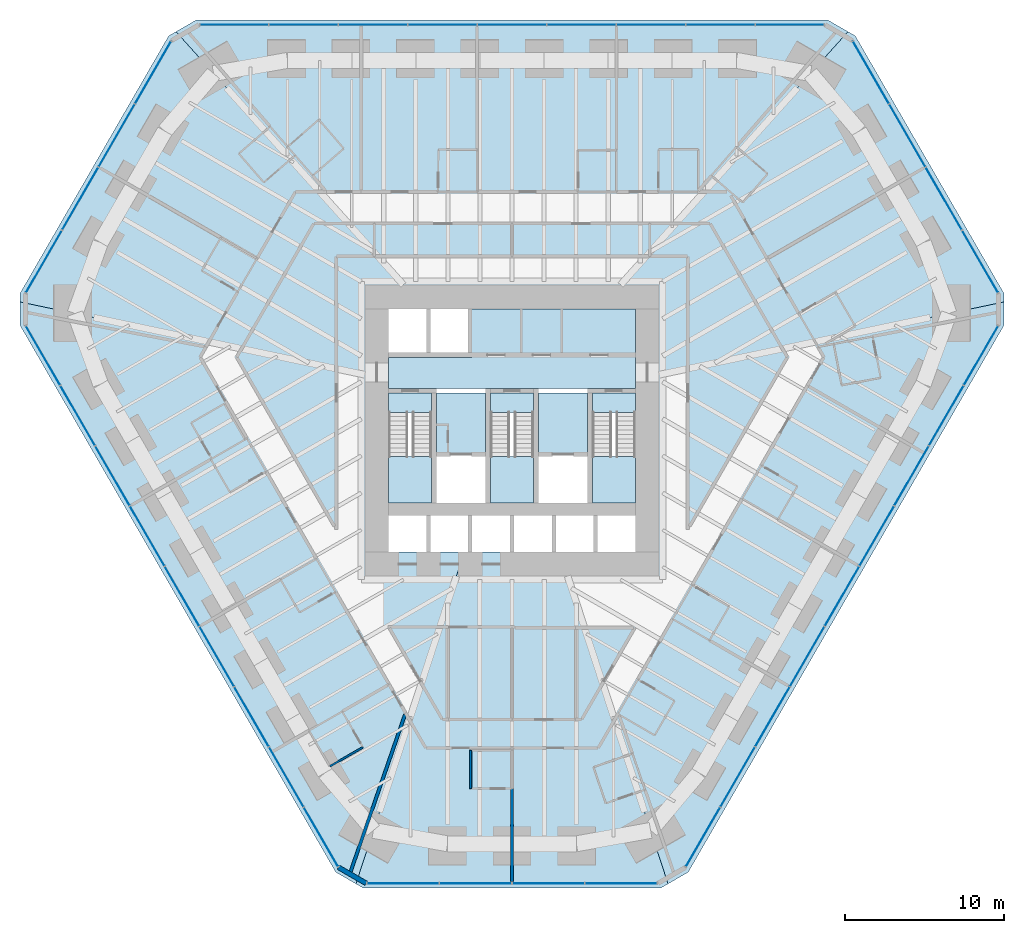
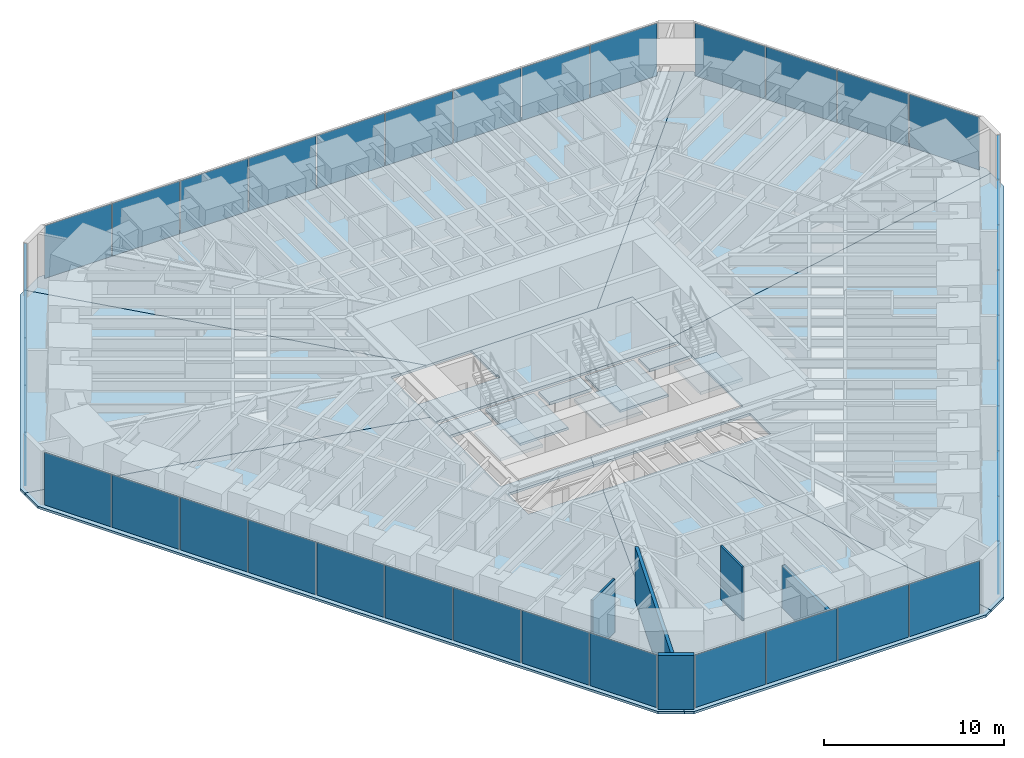
# One storey, part 10 of 17: 39 plates, 15 slabs, 5 walls, 9 elements without a shape of their own.
"""IFC4 building model written with IfcOpenShell, lengths in metres."""

from ifc_helpers import new_model, si_unit, direction, frame, frame_2d, origin, origin_2d, place, context, subcontext, project, spatial, polyline, rectangle, outline, extrude, material, layer, layer_set, type_object, element, aggregate, save


model = new_model("IFC4")

# Units and contexts
model_context = context("Model", 3, precision=1e-05, world=origin(), true_north=direction((0.0, 1.0)))
body_context = subcontext(model_context, "Body", "Model", "MODEL_VIEW")
ifc_project = project(units=[si_unit("LENGTHUNIT", "METRE"), si_unit("AREAUNIT", "SQUARE_METRE"), si_unit("VOLUMEUNIT", "CUBIC_METRE"), si_unit("PLANEANGLEUNIT", "RADIAN"), si_unit("MASSUNIT", "GRAM", prefix="KILO")], contexts=[model_context])

# Site, building, storey
site_placement = place(None, origin())
site = spatial("IfcSite", under=ifc_project, at=site_placement, CompositionType="ELEMENT")
building_placement = place(site_placement, origin())
building = spatial("IfcBuilding", under=site, at=building_placement, Name="Sandreach Pilgrim Tower", CompositionType="ELEMENT")
storey_placement = place(building_placement, frame((0.0, 0.0, 80.0)))
storey = spatial("IfcBuildingStorey", under=building, at=storey_placement, Name="L19", CompositionType="ELEMENT", Elevation=80.0)

# Curtain wall, plates
ifc_material_1 = material(Name="Aluminium framed curtain wall", Category="aluminium")
curtain_wall_type = type_object("IfcCurtainWallType", Name="Hostel tower curtain wall", PredefinedType="NOTDEFINED", material=ifc_material_1)
curtain_wall_1_placement = place(storey_placement, origin())
curtain_wall_1 = element("IfcCurtainWall", 1, at=curtain_wall_1_placement, inside=storey, type_object=curtain_wall_type, Name="CW-1 L19 N", PredefinedType="NOTDEFINED")
ifc_material_2 = material(Name="Insulating glass unit 6 heat-strengthened + 12 argon + 6 heat-strengthened", Category="glass")
ifc_layer_1 = layer(ifc_material_2, 0.02392578125)
ifc_layer_set_1 = layer_set([ifc_layer_1], Name="CW-1 panel")
plate_type = type_object("IfcPlateType", Name="CW-1 panel", PredefinedType="CURTAIN_PANEL", material=ifc_layer_set_1)
plate_1_placement = place(storey_placement, frame((-17.469970703125, 23.94873046875, 0.0), z_axis=(0.0, 0.0, 1.0), x_axis=(1.0, 0.0, 0.0)))
plate_1 = element("IfcPlate", 2, at=plate_1_placement, type_object=plate_type, Name="CW-1 panel 1", PredefinedType="CURTAIN_PANEL", context=body_context, shape_type="SweptSolid", body=[
    extrude(rectangle(XDim=4.274169921875, YDim=0.02392578125, at=origin_2d()), origin(), (0.0, 0.0, 1.0), 3.570068359375),
])
plate_2_placement = place(storey_placement, frame((-13.11474609375, 23.94873046875, 0.0), z_axis=(0.0, 0.0, 1.0), x_axis=(1.0, 0.0, 0.0)))
plate_2 = element("IfcPlate", 3, at=plate_2_placement, type_object=plate_type, Name="CW-1 panel 2", PredefinedType="CURTAIN_PANEL", context=body_context, shape_type="SweptSolid", body=[
    extrude(rectangle(XDim=4.306640625, YDim=0.02392578125, at=origin_2d()), origin(), (0.0, 0.0, 1.0), 3.570068359375),
])
plate_3_placement = place(storey_placement, frame((-8.7431640625, 23.94873046875, 0.0), z_axis=(0.0, 0.0, 1.0), x_axis=(1.0, 0.0, 0.0)))
plate_3 = element("IfcPlate", 4, at=plate_3_placement, type_object=plate_type, Name="CW-1 panel 3", PredefinedType="CURTAIN_PANEL", context=body_context, shape_type="SweptSolid", body=[
    extrude(rectangle(XDim=4.306640625, YDim=0.02392578125, at=origin_2d()), origin(), (0.0, 0.0, 1.0), 3.570068359375),
])
plate_4_placement = place(storey_placement, frame((-4.37158203125, 23.94873046875, 0.0), z_axis=(0.0, 0.0, 1.0), x_axis=(1.0, 0.0, 0.0)))
plate_4 = element("IfcPlate", 5, at=plate_4_placement, type_object=plate_type, Name="CW-1 panel 4", PredefinedType="CURTAIN_PANEL", context=body_context, shape_type="SweptSolid", body=[
    extrude(rectangle(XDim=4.306640625, YDim=0.02392578125, at=origin_2d()), origin(), (0.0, 0.0, 1.0), 3.570068359375),
])
plate_5_placement = place(storey_placement, frame((0.0, 23.94873046875, 0.0), z_axis=(0.0, 0.0, 1.0), x_axis=(1.0, 0.0, 0.0)))
plate_5 = element("IfcPlate", 6, at=plate_5_placement, type_object=plate_type, Name="CW-1 panel 5", PredefinedType="CURTAIN_PANEL", context=body_context, shape_type="SweptSolid", body=[
    extrude(rectangle(XDim=4.306640625, YDim=0.02392578125, at=origin_2d()), origin(), (0.0, 0.0, 1.0), 3.570068359375),
])
plate_6_placement = place(storey_placement, frame((4.37158203125, 23.94873046875, 0.0), z_axis=(0.0, 0.0, 1.0), x_axis=(1.0, 0.0, 0.0)))
plate_6 = element("IfcPlate", 7, at=plate_6_placement, type_object=plate_type, Name="CW-1 panel 6", PredefinedType="CURTAIN_PANEL", context=body_context, shape_type="SweptSolid", body=[
    extrude(rectangle(XDim=4.306640625, YDim=0.02392578125, at=origin_2d()), origin(), (0.0, 0.0, 1.0), 3.570068359375),
])
plate_7_placement = place(storey_placement, frame((8.7431640625, 23.94873046875, 0.0), z_axis=(0.0, 0.0, 1.0), x_axis=(1.0, 0.0, 0.0)))
plate_7 = element("IfcPlate", 8, at=plate_7_placement, type_object=plate_type, Name="CW-1 panel 7", PredefinedType="CURTAIN_PANEL", context=body_context, shape_type="SweptSolid", body=[
    extrude(rectangle(XDim=4.306640625, YDim=0.02392578125, at=origin_2d()), origin(), (0.0, 0.0, 1.0), 3.570068359375),
])
plate_8_placement = place(storey_placement, frame((13.11474609375, 23.94873046875, 0.0), z_axis=(0.0, 0.0, 1.0), x_axis=(1.0, 0.0, 0.0)))
plate_8 = element("IfcPlate", 9, at=plate_8_placement, type_object=plate_type, Name="CW-1 panel 8", PredefinedType="CURTAIN_PANEL", context=body_context, shape_type="SweptSolid", body=[
    extrude(rectangle(XDim=4.306640625, YDim=0.02392578125, at=origin_2d()), origin(), (0.0, 0.0, 1.0), 3.570068359375),
])
plate_9_placement = place(storey_placement, frame((17.469970703125, 23.94873046875, 0.0), z_axis=(0.0, 0.0, 1.0), x_axis=(1.0, 0.0, 0.0)))
plate_9 = element("IfcPlate", 10, at=plate_9_placement, type_object=plate_type, Name="CW-1 panel 9", PredefinedType="CURTAIN_PANEL", context=body_context, shape_type="SweptSolid", body=[
    extrude(rectangle(XDim=4.274169921875, YDim=0.02392578125, at=origin_2d()), origin(), (0.0, 0.0, 1.0), 3.570068359375),
])
aggregate(curtain_wall_1, [plate_1, plate_2, plate_3, plate_4, plate_5, plate_6, plate_7, plate_8, plate_9])

curtain_wall_2_placement = place(storey_placement, origin())
curtain_wall_2 = element("IfcCurtainWall", 11, at=curtain_wall_2_placement, inside=storey, type_object=curtain_wall_type, Name="CW-1 L19 NE", PredefinedType="NOTDEFINED")
plate_10_placement = place(storey_placement, frame((22.558837890625, 20.94873046875, 0.0), z_axis=(0.0, 0.0, 1.0), x_axis=(0.5, -0.866025403784, 0.0)))
plate_10 = element("IfcPlate", 12, at=plate_10_placement, type_object=plate_type, Name="CW-1 panel 1", PredefinedType="CURTAIN_PANEL", context=body_context, shape_type="SweptSolid", body=[
    extrude(rectangle(XDim=4.488525390625, YDim=0.02392578125, at=origin_2d()), origin(), (0.0, 0.0, 1.0), 3.570068359375),
])
plate_11_placement = place(storey_placement, frame((24.84375, 16.9912109375, 0.0), z_axis=(0.0, 0.0, 1.0), x_axis=(0.5, -0.866025403784, 0.0)))
plate_11 = element("IfcPlate", 13, at=plate_11_placement, type_object=plate_type, Name="CW-1 panel 2", PredefinedType="CURTAIN_PANEL", context=body_context, shape_type="SweptSolid", body=[
    extrude(rectangle(XDim=4.52099609375, YDim=0.02392578125, at=origin_2d()), origin(), (0.0, 0.0, 1.0), 3.570068359375),
])
plate_12_placement = place(storey_placement, frame((27.13671875, 13.01953125, 0.0), z_axis=(0.0, 0.0, 1.0), x_axis=(0.5, -0.866025403784, 0.0)))
plate_12 = element("IfcPlate", 14, at=plate_12_placement, type_object=plate_type, Name="CW-1 panel 3", PredefinedType="CURTAIN_PANEL", context=body_context, shape_type="SweptSolid", body=[
    extrude(rectangle(XDim=4.52099609375, YDim=0.02392578125, at=origin_2d()), origin(), (0.0, 0.0, 1.0), 3.570068359375),
])
plate_13_placement = place(storey_placement, frame((29.421630859375, 9.06201171875, 0.0), z_axis=(0.0, 0.0, 1.0), x_axis=(0.5, -0.866025403784, 0.0)))
plate_13 = element("IfcPlate", 15, at=plate_13_placement, type_object=plate_type, Name="CW-1 panel 4", PredefinedType="CURTAIN_PANEL", context=body_context, shape_type="SweptSolid", body=[
    extrude(rectangle(XDim=4.488525390625, YDim=0.02392578125, at=origin_2d()), origin(), (0.0, 0.0, 1.0), 3.570068359375),
])
aggregate(curtain_wall_2, [plate_10, plate_11, plate_12, plate_13])

curtain_wall_3_placement = place(storey_placement, origin())
curtain_wall_3 = element("IfcCurtainWall", 16, at=curtain_wall_3_placement, inside=storey, type_object=curtain_wall_type, Name="CW-1 L19 SE", PredefinedType="NOTDEFINED")
plate_14_placement = place(storey_placement, frame((29.475341796875, 3.1552734375, 0.0), z_axis=(0.0, 0.0, 1.0), x_axis=(-0.5, -0.866025403784, 0.0)))
plate_14 = element("IfcPlate", 17, at=plate_14_placement, type_object=plate_type, Name="CW-1 panel 1", PredefinedType="CURTAIN_PANEL", context=body_context, shape_type="SweptSolid", body=[
    extrude(rectangle(XDim=4.274169921875, YDim=0.02392578125, at=origin_2d()), origin(), (0.0, 0.0, 1.0), 3.570068359375),
])
plate_15_placement = place(storey_placement, frame((27.297607421875, -0.61669921875, 0.0), z_axis=(0.0, 0.0, 1.0), x_axis=(-0.5, -0.866025403784, 0.0)))
plate_15 = element("IfcPlate", 18, at=plate_15_placement, type_object=plate_type, Name="CW-1 panel 2", PredefinedType="CURTAIN_PANEL", context=body_context, shape_type="SweptSolid", body=[
    extrude(rectangle(XDim=4.306640625, YDim=0.02392578125, at=origin_2d()), origin(), (0.0, 0.0, 1.0), 3.570068359375),
])
plate_16_placement = place(storey_placement, frame((25.11181640625, -4.402587890625, 0.0), z_axis=(0.0, 0.0, 1.0), x_axis=(-0.5, -0.866025403784, 0.0)))
plate_16 = element("IfcPlate", 19, at=plate_16_placement, type_object=plate_type, Name="CW-1 panel 3", PredefinedType="CURTAIN_PANEL", context=body_context, shape_type="SweptSolid", body=[
    extrude(rectangle(XDim=4.306640625, YDim=0.02392578125, at=origin_2d()), origin(), (0.0, 0.0, 1.0), 3.570068359375),
])
plate_17_placement = place(storey_placement, frame((22.926025390625, -8.1884765625, 0.0), z_axis=(0.0, 0.0, 1.0), x_axis=(-0.5, -0.866025403784, 0.0)))
plate_17 = element("IfcPlate", 20, at=plate_17_placement, type_object=plate_type, Name="CW-1 panel 4", PredefinedType="CURTAIN_PANEL", context=body_context, shape_type="SweptSolid", body=[
    extrude(rectangle(XDim=4.306640625, YDim=0.02392578125, at=origin_2d()), origin(), (0.0, 0.0, 1.0), 3.570068359375),
])
plate_18_placement = place(storey_placement, frame((20.740234375, -11.974365234375, 0.0), z_axis=(0.0, 0.0, 1.0), x_axis=(-0.5, -0.866025403784, 0.0)))
plate_18 = element("IfcPlate", 21, at=plate_18_placement, type_object=plate_type, Name="CW-1 panel 5", PredefinedType="CURTAIN_PANEL", context=body_context, shape_type="SweptSolid", body=[
    extrude(rectangle(XDim=4.306640625, YDim=0.02392578125, at=origin_2d()), origin(), (0.0, 0.0, 1.0), 3.570068359375),
])
plate_19_placement = place(storey_placement, frame((18.554443359375, -15.76025390625, 0.0), z_axis=(0.0, 0.0, 1.0), x_axis=(-0.5, -0.866025403784, 0.0)))
plate_19 = element("IfcPlate", 22, at=plate_19_placement, type_object=plate_type, Name="CW-1 panel 6", PredefinedType="CURTAIN_PANEL", context=body_context, shape_type="SweptSolid", body=[
    extrude(rectangle(XDim=4.306640625, YDim=0.02392578125, at=origin_2d()), origin(), (0.0, 0.0, 1.0), 3.570068359375),
])
plate_20_placement = place(storey_placement, frame((16.36865234375, -19.546142578125, 0.0), z_axis=(0.0, 0.0, 1.0), x_axis=(-0.5, -0.866025403784, 0.0)))
plate_20 = element("IfcPlate", 23, at=plate_20_placement, type_object=plate_type, Name="CW-1 panel 7", PredefinedType="CURTAIN_PANEL", context=body_context, shape_type="SweptSolid", body=[
    extrude(rectangle(XDim=4.306640625, YDim=0.02392578125, at=origin_2d()), origin(), (0.0, 0.0, 1.0), 3.570068359375),
])
plate_21_placement = place(storey_placement, frame((14.182861328125, -23.33203125, 0.0), z_axis=(0.0, 0.0, 1.0), x_axis=(-0.5, -0.866025403784, 0.0)))
plate_21 = element("IfcPlate", 24, at=plate_21_placement, type_object=plate_type, Name="CW-1 panel 8", PredefinedType="CURTAIN_PANEL", context=body_context, shape_type="SweptSolid", body=[
    extrude(rectangle(XDim=4.306640625, YDim=0.02392578125, at=origin_2d()), origin(), (0.0, 0.0, 1.0), 3.570068359375),
])
plate_22_placement = place(storey_placement, frame((12.005126953125, -27.103759765625, 0.0), z_axis=(0.0, 0.0, 1.0), x_axis=(-0.5, -0.866025403784, 0.0)))
plate_22 = element("IfcPlate", 25, at=plate_22_placement, type_object=plate_type, Name="CW-1 panel 9", PredefinedType="CURTAIN_PANEL", context=body_context, shape_type="SweptSolid", body=[
    extrude(rectangle(XDim=4.274169921875, YDim=0.02392578125, at=origin_2d()), origin(), (0.0, 0.0, 1.0), 3.570068359375),
])
aggregate(curtain_wall_3, [plate_14, plate_15, plate_16, plate_17, plate_18, plate_19, plate_20, plate_21, plate_22])

curtain_wall_4_placement = place(storey_placement, origin())
curtain_wall_4 = element("IfcCurtainWall", 26, at=curtain_wall_4_placement, inside=storey, type_object=curtain_wall_type, Name="CW-1 L19 S", PredefinedType="NOTDEFINED")
plate_23_placement = place(storey_placement, frame((6.86279296875, -30.010986328125, 0.0), z_axis=(0.0, 0.0, 1.0), x_axis=(-1.0, 0.0, 0.0)))
plate_23 = element("IfcPlate", 27, at=plate_23_placement, type_object=plate_type, Name="CW-1 panel 1", PredefinedType="CURTAIN_PANEL", context=body_context, shape_type="SweptSolid", body=[
    extrude(rectangle(XDim=4.488525390625, YDim=0.02392578125, at=origin_2d()), origin(), (0.0, 0.0, 1.0), 3.570068359375),
])
plate_24_placement = place(storey_placement, frame((2.29296875, -30.010986328125, 0.0), z_axis=(0.0, 0.0, 1.0), x_axis=(-1.0, 0.0, 0.0)))
plate_24 = element("IfcPlate", 28, at=plate_24_placement, type_object=plate_type, Name="CW-1 panel 2", PredefinedType="CURTAIN_PANEL", context=body_context, shape_type="SweptSolid", body=[
    extrude(rectangle(XDim=4.52099609375, YDim=0.02392578125, at=origin_2d()), origin(), (0.0, 0.0, 1.0), 3.570068359375),
])
plate_25_placement = place(storey_placement, frame((-2.29296875, -30.010986328125, 0.0), z_axis=(0.0, 0.0, 1.0), x_axis=(-1.0, 0.0, 0.0)))
plate_25 = element("IfcPlate", 29, at=plate_25_placement, type_object=plate_type, Name="CW-1 panel 3", PredefinedType="CURTAIN_PANEL", context=body_context, shape_type="SweptSolid", body=[
    extrude(rectangle(XDim=4.52099609375, YDim=0.02392578125, at=origin_2d()), origin(), (0.0, 0.0, 1.0), 3.570068359375),
])
plate_26_placement = place(storey_placement, frame((-6.86279296875, -30.010986328125, 0.0), z_axis=(0.0, 0.0, 1.0), x_axis=(-1.0, 0.0, 0.0)))
plate_26 = element("IfcPlate", 30, at=plate_26_placement, type_object=plate_type, Name="CW-1 panel 4", PredefinedType="CURTAIN_PANEL", context=body_context, shape_type="SweptSolid", body=[
    extrude(rectangle(XDim=4.488525390625, YDim=0.02392578125, at=origin_2d()), origin(), (0.0, 0.0, 1.0), 3.570068359375),
])
aggregate(curtain_wall_4, [plate_23, plate_24, plate_25, plate_26])

curtain_wall_5_placement = place(storey_placement, origin())
curtain_wall_5 = element("IfcCurtainWall", 31, at=curtain_wall_5_placement, inside=storey, type_object=curtain_wall_type, Name="CW-1 L19 SW", PredefinedType="NOTDEFINED")
plate_27_placement = place(storey_placement, frame((-12.005126953125, -27.103759765625, 0.0), z_axis=(0.0, 0.0, 1.0), x_axis=(-0.5, 0.866025403784, 0.0)))
plate_27 = element("IfcPlate", 32, at=plate_27_placement, type_object=plate_type, Name="CW-1 panel 1", PredefinedType="CURTAIN_PANEL", context=body_context, shape_type="SweptSolid", body=[
    extrude(rectangle(XDim=4.274169921875, YDim=0.02392578125, at=origin_2d()), origin(), (0.0, 0.0, 1.0), 3.570068359375),
])
plate_28_placement = place(storey_placement, frame((-14.182861328125, -23.33203125, 0.0), z_axis=(0.0, 0.0, 1.0), x_axis=(-0.5, 0.866025403784, 0.0)))
plate_28 = element("IfcPlate", 33, at=plate_28_placement, type_object=plate_type, Name="CW-1 panel 2", PredefinedType="CURTAIN_PANEL", context=body_context, shape_type="SweptSolid", body=[
    extrude(rectangle(XDim=4.306640625, YDim=0.02392578125, at=origin_2d()), origin(), (0.0, 0.0, 1.0), 3.570068359375),
])
plate_29_placement = place(storey_placement, frame((-16.36865234375, -19.546142578125, 0.0), z_axis=(0.0, 0.0, 1.0), x_axis=(-0.5, 0.866025403784, 0.0)))
plate_29 = element("IfcPlate", 34, at=plate_29_placement, type_object=plate_type, Name="CW-1 panel 3", PredefinedType="CURTAIN_PANEL", context=body_context, shape_type="SweptSolid", body=[
    extrude(rectangle(XDim=4.306640625, YDim=0.02392578125, at=origin_2d()), origin(), (0.0, 0.0, 1.0), 3.570068359375),
])
plate_30_placement = place(storey_placement, frame((-18.554443359375, -15.76025390625, 0.0), z_axis=(0.0, 0.0, 1.0), x_axis=(-0.5, 0.866025403784, 0.0)))
plate_30 = element("IfcPlate", 35, at=plate_30_placement, type_object=plate_type, Name="CW-1 panel 4", PredefinedType="CURTAIN_PANEL", context=body_context, shape_type="SweptSolid", body=[
    extrude(rectangle(XDim=4.306640625, YDim=0.02392578125, at=origin_2d()), origin(), (0.0, 0.0, 1.0), 3.570068359375),
])
plate_31_placement = place(storey_placement, frame((-20.740234375, -11.974365234375, 0.0), z_axis=(0.0, 0.0, 1.0), x_axis=(-0.5, 0.866025403784, 0.0)))
plate_31 = element("IfcPlate", 36, at=plate_31_placement, type_object=plate_type, Name="CW-1 panel 5", PredefinedType="CURTAIN_PANEL", context=body_context, shape_type="SweptSolid", body=[
    extrude(rectangle(XDim=4.306640625, YDim=0.02392578125, at=origin_2d()), origin(), (0.0, 0.0, 1.0), 3.570068359375),
])
plate_32_placement = place(storey_placement, frame((-22.926025390625, -8.1884765625, 0.0), z_axis=(0.0, 0.0, 1.0), x_axis=(-0.5, 0.866025403784, 0.0)))
plate_32 = element("IfcPlate", 37, at=plate_32_placement, type_object=plate_type, Name="CW-1 panel 6", PredefinedType="CURTAIN_PANEL", context=body_context, shape_type="SweptSolid", body=[
    extrude(rectangle(XDim=4.306640625, YDim=0.02392578125, at=origin_2d()), origin(), (0.0, 0.0, 1.0), 3.570068359375),
])
plate_33_placement = place(storey_placement, frame((-25.11181640625, -4.402587890625, 0.0), z_axis=(0.0, 0.0, 1.0), x_axis=(-0.5, 0.866025403784, 0.0)))
plate_33 = element("IfcPlate", 38, at=plate_33_placement, type_object=plate_type, Name="CW-1 panel 7", PredefinedType="CURTAIN_PANEL", context=body_context, shape_type="SweptSolid", body=[
    extrude(rectangle(XDim=4.306640625, YDim=0.02392578125, at=origin_2d()), origin(), (0.0, 0.0, 1.0), 3.570068359375),
])
plate_34_placement = place(storey_placement, frame((-27.297607421875, -0.61669921875, 0.0), z_axis=(0.0, 0.0, 1.0), x_axis=(-0.5, 0.866025403784, 0.0)))
plate_34 = element("IfcPlate", 39, at=plate_34_placement, type_object=plate_type, Name="CW-1 panel 8", PredefinedType="CURTAIN_PANEL", context=body_context, shape_type="SweptSolid", body=[
    extrude(rectangle(XDim=4.306640625, YDim=0.02392578125, at=origin_2d()), origin(), (0.0, 0.0, 1.0), 3.570068359375),
])
plate_35_placement = place(storey_placement, frame((-29.475341796875, 3.1552734375, 0.0), z_axis=(0.0, 0.0, 1.0), x_axis=(-0.5, 0.866025403784, 0.0)))
plate_35 = element("IfcPlate", 40, at=plate_35_placement, type_object=plate_type, Name="CW-1 panel 9", PredefinedType="CURTAIN_PANEL", context=body_context, shape_type="SweptSolid", body=[
    extrude(rectangle(XDim=4.274169921875, YDim=0.02392578125, at=origin_2d()), origin(), (0.0, 0.0, 1.0), 3.570068359375),
])
aggregate(curtain_wall_5, [plate_27, plate_28, plate_29, plate_30, plate_31, plate_32, plate_33, plate_34, plate_35])

curtain_wall_6_placement = place(storey_placement, origin())
curtain_wall_6 = element("IfcCurtainWall", 41, at=curtain_wall_6_placement, inside=storey, type_object=curtain_wall_type, Name="CW-1 L19 NW", PredefinedType="NOTDEFINED")
plate_36_placement = place(storey_placement, frame((-29.421630859375, 9.06201171875, 0.0), z_axis=(0.0, 0.0, 1.0), x_axis=(0.5, 0.866025403784, 0.0)))
plate_36 = element("IfcPlate", 42, at=plate_36_placement, type_object=plate_type, Name="CW-1 panel 1", PredefinedType="CURTAIN_PANEL", context=body_context, shape_type="SweptSolid", body=[
    extrude(rectangle(XDim=4.488525390625, YDim=0.02392578125, at=origin_2d()), origin(), (0.0, 0.0, 1.0), 3.570068359375),
])
plate_37_placement = place(storey_placement, frame((-27.13671875, 13.01953125, 0.0), z_axis=(0.0, 0.0, 1.0), x_axis=(0.5, 0.866025403784, 0.0)))
plate_37 = element("IfcPlate", 43, at=plate_37_placement, type_object=plate_type, Name="CW-1 panel 2", PredefinedType="CURTAIN_PANEL", context=body_context, shape_type="SweptSolid", body=[
    extrude(rectangle(XDim=4.52099609375, YDim=0.02392578125, at=origin_2d()), origin(), (0.0, 0.0, 1.0), 3.570068359375),
])
plate_38_placement = place(storey_placement, frame((-24.84375, 16.9912109375, 0.0), z_axis=(0.0, 0.0, 1.0), x_axis=(0.5, 0.866025403784, 0.0)))
plate_38 = element("IfcPlate", 44, at=plate_38_placement, type_object=plate_type, Name="CW-1 panel 3", PredefinedType="CURTAIN_PANEL", context=body_context, shape_type="SweptSolid", body=[
    extrude(rectangle(XDim=4.52099609375, YDim=0.02392578125, at=origin_2d()), origin(), (0.0, 0.0, 1.0), 3.570068359375),
])
plate_39_placement = place(storey_placement, frame((-22.558837890625, 20.94873046875, 0.0), z_axis=(0.0, 0.0, 1.0), x_axis=(0.5, 0.866025403784, 0.0)))
plate_39 = element("IfcPlate", 45, at=plate_39_placement, type_object=plate_type, Name="CW-1 panel 4", PredefinedType="CURTAIN_PANEL", context=body_context, shape_type="SweptSolid", body=[
    extrude(rectangle(XDim=4.488525390625, YDim=0.02392578125, at=origin_2d()), origin(), (0.0, 0.0, 1.0), 3.570068359375),
])
aggregate(curtain_wall_6, [plate_36, plate_37, plate_38, plate_39])

# Slabs
ifc_material_3 = material(Name="Concrete 8000 psi", Category="concrete")
ifc_layer_2 = layer(ifc_material_3, 0.159912109375)
ifc_layer_set_2 = layer_set([ifc_layer_2], Name="Composite floor slab 160")
slab_type_1 = type_object("IfcSlabType", Name="Composite floor slab 160", PredefinedType="FLOOR", material=ifc_layer_set_2)
slab_1_placement = place(storey_placement, frame((0.0, 0.0, -0.159912109375)))
element("IfcSlab", 46, at=slab_1_placement, inside=storey, type_object=slab_type_1, Name="Floor slab L19 N sector", PredefinedType="FLOOR", context=body_context, shape_type="SweptSolid", body=[
    extrude(outline(polyline([(-19.84521484375, 24.248779296875), (19.84521484375, 24.248779296875), (21.115478515625, 23.515380859375), (5.477294921875, 6.10009765625), (-5.477294921875, 6.10009765625), (-21.115478515625, 23.515380859375), (-19.84521484375, 24.248779296875)])), origin(), (0.0, 0.0, 1.0), 0.159912109375),
])
slab_2_placement = place(storey_placement, frame((0.0, 0.0, -0.159912109375)))
element("IfcSlab", 47, at=slab_2_placement, inside=storey, type_object=slab_type_1, Name="Floor slab L19 NE sector", PredefinedType="FLOOR", context=body_context, shape_type="SweptSolid", body=[
    extrude(outline(polyline([(21.577392578125, 23.248779296875), (30.922607421875, 7.062255859375), (30.922607421875, 6.52880859375), (7.75, 1.63623046875), (7.75, 6.10009765625), (5.477294921875, 6.10009765625), (21.115478515625, 23.515380859375), (21.577392578125, 23.248779296875)])), origin(), (0.0, 0.0, 1.0), 0.159912109375),
])
slab_3_placement = place(storey_placement, frame((0.0, 0.0, -0.159912109375)))
element("IfcSlab", 48, at=slab_3_placement, inside=storey, type_object=slab_type_1, Name="Floor slab L19 SE sector", PredefinedType="FLOOR", context=body_context, shape_type="SweptSolid", body=[
    extrude(outline(polyline([(11.077392578125, -29.310791015625), (9.80712890625, -30.044189453125), (3.003173828125, -9.199951171875), (7.75, -9.199951171875), (7.75, -6.89990234375), (-2.252197265625, -6.89990234375), (-1.9912109375, -6.10009765625), (7.75, -6.10009765625), (7.75, 1.63623046875), (30.922607421875, 6.52880859375), (30.922607421875, 5.062255859375), (11.077392578125, -29.310791015625)])), origin(), (0.0, 0.0, 1.0), 0.159912109375),
])
slab_4_placement = place(storey_placement, frame((0.0, 0.0, -0.159912109375)))
element("IfcSlab", 49, at=slab_4_placement, inside=storey, type_object=slab_type_1, Name="Floor slab L19 S sector", PredefinedType="FLOOR", context=body_context, shape_type="SweptSolid", body=[
    extrude(outline(polyline([(9.34521484375, -30.310791015625), (-9.34521484375, -30.310791015625), (-9.80712890625, -30.044189453125), (-3.003173828125, -9.199951171875), (3.003173828125, -9.199951171875), (9.80712890625, -30.044189453125), (9.34521484375, -30.310791015625)])), origin(), (0.0, 0.0, 1.0), 0.159912109375),
])
slab_5_placement = place(storey_placement, frame((0.0, 0.0, -0.159912109375)))
element("IfcSlab", 50, at=slab_5_placement, inside=storey, type_object=slab_type_1, Name="Floor slab L19 SW sector", PredefinedType="FLOOR", context=body_context, shape_type="SweptSolid", body=[
    extrude(outline(polyline([(-11.077392578125, -29.310791015625), (-30.922607421875, 5.062255859375), (-30.922607421875, 6.52880859375), (-7.75, 1.63623046875), (-7.75, -6.10009765625), (-1.9912109375, -6.10009765625), (-2.252197265625, -6.89990234375), (-7.75, -6.89990234375), (-7.75, -9.199951171875), (-3.003173828125, -9.199951171875), (-9.80712890625, -30.044189453125), (-11.077392578125, -29.310791015625)])), origin(), (0.0, 0.0, 1.0), 0.159912109375),
])
slab_6_placement = place(storey_placement, frame((0.0, 0.0, -0.159912109375)))
element("IfcSlab", 51, at=slab_6_placement, inside=storey, type_object=slab_type_1, Name="Floor slab L19 NW sector", PredefinedType="FLOOR", context=body_context, shape_type="SweptSolid", body=[
    extrude(outline(polyline([(-30.922607421875, 7.062255859375), (-21.577392578125, 23.248779296875), (-21.115478515625, 23.515380859375), (-5.477294921875, 6.10009765625), (-7.75, 6.10009765625), (-7.75, 1.63623046875), (-30.922607421875, 6.52880859375), (-30.922607421875, 7.062255859375)])), origin(), (0.0, 0.0, 1.0), 0.159912109375),
])
slab_7_placement = place(storey_placement, frame((0.0, 0.0, -0.159912109375)))
element("IfcSlab", 52, at=slab_7_placement, inside=storey, type_object=slab_type_1, Name="Core floor slab and stores L19", PredefinedType="FLOOR", context=body_context, shape_type="SweptSolid", body=[
    extrude(outline(polyline([(-7.75, 3.050048828125), (-5.375, 3.050048828125), (-5.125, 3.050048828125), (-2.5, 3.050048828125), (-2.5, 3.35009765625), (-2.60009765625, 3.35009765625), (-2.60009765625, 6.10009765625), (7.75, 6.10009765625), (7.75, 1.10009765625), (5.050048828125, 1.10009765625), (4.75, 1.10009765625), (1.64990234375, 1.10009765625), (1.35009765625, 1.10009765625), (-1.35009765625, 1.10009765625), (-1.64990234375, 1.10009765625), (-4.75, 1.10009765625), (-5.050048828125, 1.10009765625), (-7.75, 1.10009765625), (-7.75, 3.050048828125)])), origin(), (0.0, 0.0, 1.0), 0.159912109375),
])
slab_8_placement = place(storey_placement, frame((0.0, 0.0, -0.159912109375)))
element("IfcSlab", 53, at=slab_8_placement, inside=storey, type_object=slab_type_1, Name="Core floor slab and stores L19 2", PredefinedType="FLOOR", context=body_context, shape_type="SweptSolid", body=[
    extrude(outline(polyline([(-1.64990234375, -3.050048828125), (-4.75, -3.050048828125), (-4.75, 0.800048828125), (-1.64990234375, 0.800048828125), (-1.64990234375, -3.050048828125)])), origin(), (0.0, 0.0, 1.0), 0.159912109375),
])
slab_9_placement = place(storey_placement, frame((0.0, 0.0, -0.159912109375)))
element("IfcSlab", 54, at=slab_9_placement, inside=storey, type_object=slab_type_1, Name="Core floor slab and stores L19 3", PredefinedType="FLOOR", context=body_context, shape_type="SweptSolid", body=[
    extrude(outline(polyline([(4.75, -3.050048828125), (1.64990234375, -3.050048828125), (1.64990234375, 0.800048828125), (4.75, 0.800048828125), (4.75, -3.050048828125)])), origin(), (0.0, 0.0, 1.0), 0.159912109375),
])

# Stair, slabs
ifc_material_4 = material(Name="Concrete 8000 psi", Category="concrete")
stair_type = type_object("IfcStairType", Name="Core exit stair", PredefinedType="HALF_TURN_STAIR", material=ifc_material_4)
stair_1_placement = place(storey_placement, origin())
stair_1 = element("IfcStair", 55, at=stair_1_placement, inside=storey, type_object=stair_type, Name="Exit stair ST1 L19", PredefinedType="HALF_TURN_STAIR")
ifc_material_5 = material(Name="Concrete 8000 psi", Category="concrete")
ifc_layer_3 = layer(ifc_material_5, 0.199951171875)
ifc_layer_set_3 = layer_set([ifc_layer_3], Name="Core stair landing 200")
slab_type_2 = type_object("IfcSlabType", Name="Core stair landing 200", PredefinedType="LANDING", material=ifc_layer_set_3)
slab_10_placement = place(storey_placement, frame((0.0, 0.0, -0.199951171875)))
slab_10 = element("IfcSlab", 56, at=slab_10_placement, type_object=slab_type_2, Name="ST1 landing 1", PredefinedType="LANDING", context=body_context, shape_type="SweptSolid", body=[
    extrude(outline(polyline([(-7.75, -0.425048828125), (-5.050048828125, -0.425048828125), (-5.050048828125, 0.800048828125), (-7.75, 0.800048828125), (-7.75, -0.425048828125)])), origin(), (0.0, 0.0, 1.0), 0.199951171875),
])
slab_11_placement = place(storey_placement, frame((0.0, 0.0, 1.699951171875)))
slab_11 = element("IfcSlab", 57, at=slab_11_placement, type_object=slab_type_2, Name="ST1 landing 2", PredefinedType="LANDING", context=body_context, shape_type="SweptSolid", body=[
    extrude(outline(polyline([(-7.75, -6.10009765625), (-5.050048828125, -6.10009765625), (-5.050048828125, -3.175048828125), (-7.75, -3.175048828125), (-7.75, -6.10009765625)])), origin(), (0.0, 0.0, 1.0), 0.199951171875),
])
aggregate(stair_1, [slab_10, slab_11])

stair_2_placement = place(storey_placement, origin())
stair_2 = element("IfcStair", 58, at=stair_2_placement, inside=storey, type_object=stair_type, Name="Exit stair ST3 L19", PredefinedType="HALF_TURN_STAIR")
slab_12_placement = place(storey_placement, frame((0.0, 0.0, -0.199951171875)))
slab_12 = element("IfcSlab", 59, at=slab_12_placement, type_object=slab_type_2, Name="ST3 landing 1", PredefinedType="LANDING", context=body_context, shape_type="SweptSolid", body=[
    extrude(outline(polyline([(-1.35009765625, -0.425048828125), (1.35009765625, -0.425048828125), (1.35009765625, 0.800048828125), (-1.35009765625, 0.800048828125), (-1.35009765625, -0.425048828125)])), origin(), (0.0, 0.0, 1.0), 0.199951171875),
])
slab_13_placement = place(storey_placement, frame((0.0, 0.0, 1.699951171875)))
slab_13 = element("IfcSlab", 60, at=slab_13_placement, type_object=slab_type_2, Name="ST3 landing 2", PredefinedType="LANDING", context=body_context, shape_type="SweptSolid", body=[
    extrude(outline(polyline([(-1.35009765625, -6.10009765625), (1.35009765625, -6.10009765625), (1.35009765625, -3.175048828125), (-1.35009765625, -3.175048828125), (-1.35009765625, -6.10009765625)])), origin(), (0.0, 0.0, 1.0), 0.199951171875),
])
aggregate(stair_2, [slab_12, slab_13])

stair_3_placement = place(storey_placement, origin())
stair_3 = element("IfcStair", 61, at=stair_3_placement, inside=storey, type_object=stair_type, Name="Exit stair ST2 L19", PredefinedType="HALF_TURN_STAIR")
slab_14_placement = place(storey_placement, frame((0.0, 0.0, -0.199951171875)))
slab_14 = element("IfcSlab", 62, at=slab_14_placement, type_object=slab_type_2, Name="ST2 landing 1", PredefinedType="LANDING", context=body_context, shape_type="SweptSolid", body=[
    extrude(outline(polyline([(5.050048828125, -0.425048828125), (7.75, -0.425048828125), (7.75, 0.800048828125), (5.050048828125, 0.800048828125), (5.050048828125, -0.425048828125)])), origin(), (0.0, 0.0, 1.0), 0.199951171875),
])
slab_15_placement = place(storey_placement, frame((0.0, 0.0, 1.699951171875)))
slab_15 = element("IfcSlab", 63, at=slab_15_placement, type_object=slab_type_2, Name="ST2 landing 2", PredefinedType="LANDING", context=body_context, shape_type="SweptSolid", body=[
    extrude(outline(polyline([(5.050048828125, -6.10009765625), (7.75, -6.10009765625), (7.75, -3.175048828125), (5.050048828125, -3.175048828125), (5.050048828125, -6.10009765625)])), origin(), (0.0, 0.0, 1.0), 0.199951171875),
])
aggregate(stair_3, [slab_14, slab_15])

# Walls
ifc_material_6 = material(Name="Moisture-resistant gypsum board on steel studs", Category="steel")
ifc_layer_4 = layer(ifc_material_6, 0.1201171875)
ifc_layer_set_4 = layer_set([ifc_layer_4], Name="Bathroom partition 120")
wall_type_1 = type_object("IfcWallType", Name="Bathroom partition 120", PredefinedType="PARTITIONING", material=ifc_layer_set_4)
wall_1_placement = place(storey_placement, frame((-11.449951171875, -22.659912109375, 0.0), z_axis=(0.0, 0.0, 1.0), x_axis=(0.866177122335, 0.499737123639, 0.0)))
element("IfcWall", 64, at=wall_1_placement, inside=storey, type_object=wall_type_1, Name="Bathroom partition L19-042", PredefinedType="PARTITIONING", context=body_context, shape_type="SweptSolid", body=[
    extrude(rectangle(XDim=2.401123046875, YDim=0.1201171875, at=frame_2d((1.20068359375, 0.0))), origin(), (0.0, 0.0, 1.0), 3.639892578125),
])
wall_2_placement = place(storey_placement, frame((-2.60009765625, -21.659912109375, 0.0), z_axis=(0.0, 0.0, 1.0), x_axis=(0.0, -1.0, 0.0)))
element("IfcWall", 65, at=wall_2_placement, inside=storey, type_object=wall_type_1, Name="Bathroom partition L19-064", PredefinedType="PARTITIONING", context=body_context, shape_type="SweptSolid", body=[
    extrude(rectangle(XDim=2.400146484375, YDim=0.1201171875, at=frame_2d((1.2001953125, 0.0))), origin(), (0.0, 0.0, 1.0), 3.639892578125),
])
ifc_material_7 = material(Name="Double steel stud acoustic wall, gypsum board", Category="steel")
ifc_layer_5 = layer(ifc_material_7, 0.199951171875)
ifc_layer_set_5 = layer_set([ifc_layer_5], Name="Party wall 200")
wall_type_2 = type_object("IfcWallType", Name="Party wall 200", PredefinedType="PARTITIONING", material=ifc_layer_set_5)
wall_3_placement = place(storey_placement, frame((-10.2001953125, -29.441650390625, 0.0), z_axis=(0.0, 0.0, 1.0), x_axis=(0.327375786306, 0.944894223996, 0.0)))
element("IfcWall", 66, at=wall_3_placement, inside=storey, type_object=wall_type_2, Name="Party wall L19-048", PredefinedType="PARTITIONING", context=body_context, shape_type="SweptSolid", body=[
    extrude(rectangle(XDim=10.62255859375, YDim=0.199951171875, at=frame_2d((5.311279296875, 0.0))), origin(), (0.0, 0.0, 1.0), 3.639892578125),
])
wall_4_placement = place(storey_placement, frame((0.0, -29.889892578125, 0.0), z_axis=(0.0, 0.0, 1.0), x_axis=(0.0, 1.0, 0.0)))
element("IfcWall", 67, at=wall_4_placement, inside=storey, type_object=wall_type_2, Name="Party wall L19-069", PredefinedType="PARTITIONING", context=body_context, shape_type="SweptSolid", body=[
    extrude(rectangle(XDim=5.829833984375, YDim=0.199951171875, at=frame_2d((2.9150390625, 0.0))), origin(), (0.0, 0.0, 1.0), 2.860107421875),
])
ifc_material_8 = material(Name="Terracotta rainscreen on concrete", Category="masonry")
ifc_layer_6 = layer(ifc_material_8, 0.300048828125)
ifc_layer_set_6 = layer_set([ifc_layer_6], Name="Terracotta chamfer pier")
wall_type_3 = type_object("IfcWallType", Name="Terracotta chamfer pier", PredefinedType="SOLIDWALL", material=ifc_layer_set_6)
wall_5_placement = place(storey_placement, frame((-9.172119140625, -30.010986328125, 0.0), z_axis=(0.0, 0.0, 1.0), x_axis=(-0.866010750942, 0.50002537861, 0.0)))
element("IfcWall", 68, at=wall_5_placement, inside=storey, type_object=wall_type_3, Name="Chamfer pier L19 S", PredefinedType="SOLIDWALL", context=body_context, shape_type="SweptSolid", body=[
    extrude(rectangle(XDim=2.0, YDim=0.300048828125, at=frame_2d((1.0, 0.0))), origin(), (0.0, 0.0, 1.0), 3.639892578125),
])

save(model, "model.ifc")
